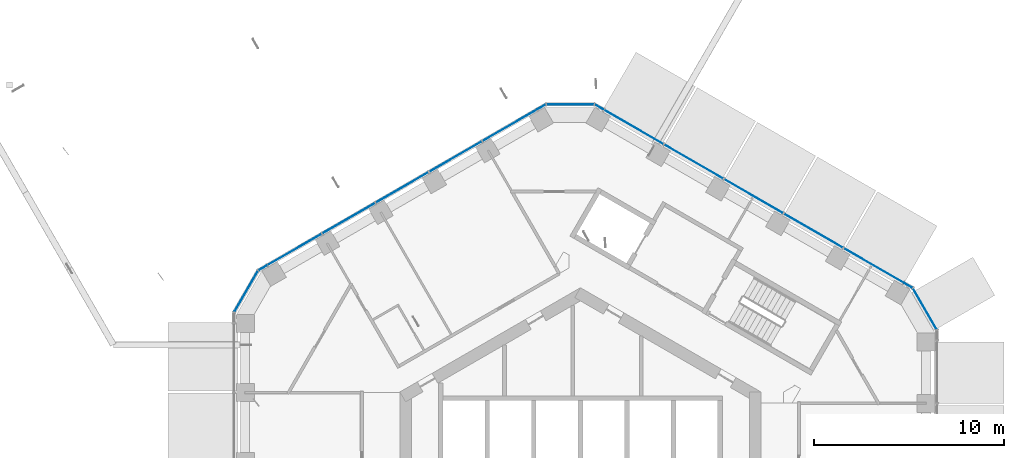
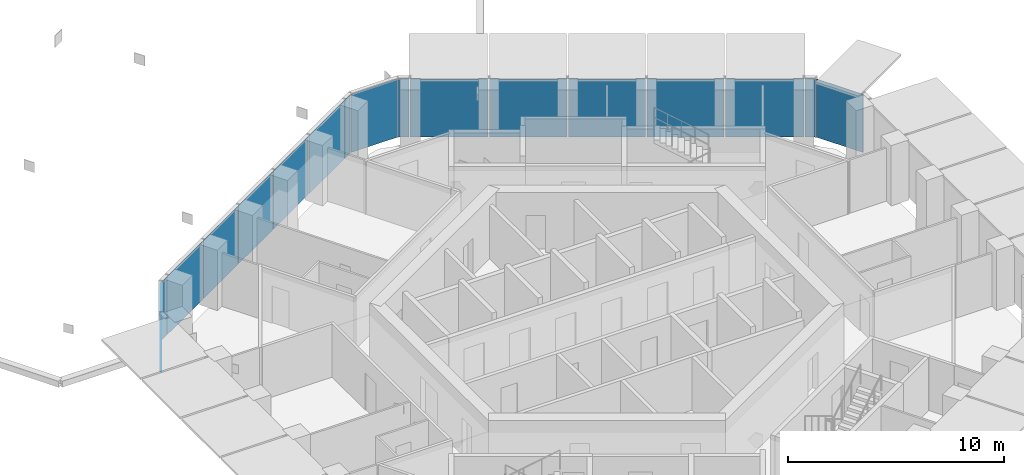
# One storey, part 11 of 21: 17 plates, 5 elements without a shape of their own.
"""IFC4 building model written with IfcOpenShell, lengths in metres."""

from ifc_helpers import new_model, si_unit, direction, frame, origin, origin_2d, place, context, subcontext, project, spatial, rectangle, extrude, material, layer, layer_set, type_object, element, aggregate, save


model = new_model("IFC4")

# Units and contexts
model_context = context("Model", 3, precision=1e-05, world=origin(), true_north=direction((0.0, 1.0)))
body_context = subcontext(model_context, "Body", "Model", "MODEL_VIEW")
ifc_project = project(units=[si_unit("LENGTHUNIT", "METRE"), si_unit("AREAUNIT", "SQUARE_METRE"), si_unit("VOLUMEUNIT", "CUBIC_METRE"), si_unit("PLANEANGLEUNIT", "RADIAN"), si_unit("MASSUNIT", "GRAM", prefix="KILO")], contexts=[model_context])

# Site, building, storey
site_placement = place(None, origin())
site = spatial("IfcSite", under=ifc_project, at=site_placement, CompositionType="ELEMENT")
building_placement = place(site_placement, origin())
building = spatial("IfcBuilding", under=site, at=building_placement, Name="Ayvan Gate Tower", CompositionType="ELEMENT")
storey_placement = place(building_placement, frame((0.0, 0.0, 183.300048828125)))
storey = spatial("IfcBuildingStorey", under=building, at=storey_placement, Name="L49", CompositionType="ELEMENT", Elevation=183.300048828125)

# Curtain wall, plates
ifc_material_1 = material(Name="Bronze anodised aluminium", Category="aluminium")
ifc_layer_1 = layer(ifc_material_1, 0.199951171875)
ifc_layer_set_1 = layer_set([ifc_layer_1], Name="Bronze anodised aluminium")
curtain_wall_type_1 = type_object("IfcCurtainWallType", Name="Stick curtain wall CW-2", PredefinedType="NOTDEFINED", material=ifc_layer_set_1)
curtain_wall_1_placement = place(storey_placement, origin())
curtain_wall_1 = element("IfcCurtainWall", 1, at=curtain_wall_1_placement, inside=storey, type_object=curtain_wall_type_1, Name="Stick curtain wall CW-2 L49", PredefinedType="NOTDEFINED")
ifc_material_2 = material(Name="Clear low-iron laminated glass", Category="glass")
ifc_layer_2 = layer(ifc_material_2, 0.028076171875)
ifc_layer_set_2 = layer_set([ifc_layer_2], Name="Clear low-iron laminated glass")
plate_type_1 = type_object("IfcPlateType", Name="Stick curtain wall CW-2 glass panel", PredefinedType="CURTAIN_PANEL", material=ifc_layer_set_2)
plate_1_placement = place(storey_placement, frame((-3.709716796875, 19.522216796875, 0.0), z_axis=(0.0, 0.0, 1.0), x_axis=(-0.866025403784, -0.5, 0.0)))
plate_1 = element("IfcPlate", 2, at=plate_1_placement, type_object=plate_type_1, Name="CW-2 glass panel 1", PredefinedType="CURTAIN_PANEL", context=body_context, shape_type="SweptSolid", body=[
    extrude(rectangle(XDim=3.287109375, YDim=0.028076171875, at=origin_2d()), origin(), (0.0, 0.0, 1.0), 3.280029296875),
])
plate_2_placement = place(storey_placement, frame((-6.5693359375, 17.87109375, 0.0), z_axis=(0.0, 0.0, 1.0), x_axis=(-0.866025403784, -0.5, 0.0)))
plate_2 = element("IfcPlate", 3, at=plate_2_placement, type_object=plate_type_1, Name="CW-2 glass panel 2", PredefinedType="CURTAIN_PANEL", context=body_context, shape_type="SweptSolid", body=[
    extrude(rectangle(XDim=3.177001953125, YDim=0.028076171875, at=origin_2d()), origin(), (0.0, 0.0, 1.0), 3.280029296875),
])
plate_3_placement = place(storey_placement, frame((-9.380859375, 16.247802734375, 0.0), z_axis=(0.0, 0.0, 1.0), x_axis=(-0.866025403784, -0.5, 0.0)))
plate_3 = element("IfcPlate", 4, at=plate_3_placement, type_object=plate_type_1, Name="CW-2 glass panel 3", PredefinedType="CURTAIN_PANEL", context=body_context, shape_type="SweptSolid", body=[
    extrude(rectangle(XDim=3.176025390625, YDim=0.028076171875, at=origin_2d()), origin(), (0.0, 0.0, 1.0), 3.280029296875),
])
plate_4_placement = place(storey_placement, frame((-12.1923828125, 14.624755859375, 0.0), z_axis=(0.0, 0.0, 1.0), x_axis=(-0.866025403784, -0.5, 0.0)))
plate_4 = element("IfcPlate", 5, at=plate_4_placement, type_object=plate_type_1, Name="CW-2 glass panel 4", PredefinedType="CURTAIN_PANEL", context=body_context, shape_type="SweptSolid", body=[
    extrude(rectangle(XDim=3.177001953125, YDim=0.028076171875, at=origin_2d()), origin(), (0.0, 0.0, 1.0), 3.280029296875),
])
plate_5_placement = place(storey_placement, frame((-15.052001953125, 12.9736328125, 0.0), z_axis=(0.0, 0.0, 1.0), x_axis=(-0.866025403784, -0.5, 0.0)))
plate_5 = element("IfcPlate", 6, at=plate_5_placement, type_object=plate_type_1, Name="CW-2 glass panel 5", PredefinedType="CURTAIN_PANEL", context=body_context, shape_type="SweptSolid", body=[
    extrude(rectangle(XDim=3.286865234375, YDim=0.028076171875, at=origin_2d()), origin(), (0.0, 0.0, 1.0), 3.280029296875),
])
aggregate(curtain_wall_1, [plate_1, plate_2, plate_3, plate_4, plate_5])

curtain_wall_2_placement = place(storey_placement, origin())
curtain_wall_2 = element("IfcCurtainWall", 7, at=curtain_wall_2_placement, inside=storey, type_object=curtain_wall_type_1, Name="Stick curtain wall CW-2 L49", PredefinedType="NOTDEFINED")
plate_6_placement = place(storey_placement, frame((15.439208984375, 12.13330078125, 0.0), z_axis=(0.0, 0.0, 1.0), x_axis=(-0.866025403784, 0.5, 0.0)))
plate_6 = element("IfcPlate", 8, at=plate_6_placement, type_object=plate_type_1, Name="CW-2 glass panel 1", PredefinedType="CURTAIN_PANEL", context=body_context, shape_type="SweptSolid", body=[
    extrude(rectangle(XDim=3.6259765625, YDim=0.028076171875, at=origin_2d()), origin(), (0.0, 0.0, 1.0), 3.280029296875),
])
plate_7_placement = place(storey_placement, frame((12.263916015625, 13.966552734375, 0.0), z_axis=(0.0, 0.0, 1.0), x_axis=(-0.866025403784, 0.5, 0.0)))
plate_7 = element("IfcPlate", 9, at=plate_7_placement, type_object=plate_type_1, Name="CW-2 glass panel 2", PredefinedType="CURTAIN_PANEL", context=body_context, shape_type="SweptSolid", body=[
    extrude(rectangle(XDim=3.56689453125, YDim=0.028076171875, at=origin_2d()), origin(), (0.0, 0.0, 1.0), 3.280029296875),
])
plate_8_placement = place(storey_placement, frame((9.11376953125, 15.785400390625, 0.0), z_axis=(0.0, 0.0, 1.0), x_axis=(-0.866025403784, 0.5, 0.0)))
plate_8 = element("IfcPlate", 10, at=plate_8_placement, type_object=plate_type_1, Name="CW-2 glass panel 3", PredefinedType="CURTAIN_PANEL", context=body_context, shape_type="SweptSolid", body=[
    extrude(rectangle(XDim=3.568115234375, YDim=0.028076171875, at=origin_2d()), origin(), (0.0, 0.0, 1.0), 3.280029296875),
])
plate_9_placement = place(storey_placement, frame((5.963623046875, 17.604248046875, 0.0), z_axis=(0.0, 0.0, 1.0), x_axis=(-0.866025403784, 0.5, 0.0)))
plate_9 = element("IfcPlate", 11, at=plate_9_placement, type_object=plate_type_1, Name="CW-2 glass panel 4", PredefinedType="CURTAIN_PANEL", context=body_context, shape_type="SweptSolid", body=[
    extrude(rectangle(XDim=3.56689453125, YDim=0.028076171875, at=origin_2d()), origin(), (0.0, 0.0, 1.0), 3.280029296875),
])
plate_10_placement = place(storey_placement, frame((2.788330078125, 19.4375, 0.0), z_axis=(0.0, 0.0, 1.0), x_axis=(-0.866025403784, 0.5, 0.0)))
plate_10 = element("IfcPlate", 12, at=plate_10_placement, type_object=plate_type_1, Name="CW-2 glass panel 5", PredefinedType="CURTAIN_PANEL", context=body_context, shape_type="SweptSolid", body=[
    extrude(rectangle(XDim=3.6259765625, YDim=0.028076171875, at=origin_2d()), origin(), (0.0, 0.0, 1.0), 3.280029296875),
])
aggregate(curtain_wall_2, [plate_6, plate_7, plate_8, plate_9, plate_10])

ifc_layer_3 = layer(ifc_material_1, 0.199951171875)
ifc_layer_set_3 = layer_set([ifc_layer_3], Name="Bronze anodised aluminium")
curtain_wall_type_2 = type_object("IfcCurtainWallType", Name="Stick curtain wall CW-6", PredefinedType="NOTDEFINED", material=ifc_layer_set_3)
curtain_wall_3_placement = place(storey_placement, origin())
curtain_wall_3 = element("IfcCurtainWall", 13, at=curtain_wall_3_placement, inside=storey, type_object=curtain_wall_type_2, Name="Stick curtain wall CW-6 L49", PredefinedType="NOTDEFINED")
ifc_layer_4 = layer(ifc_material_2, 0.028076171875)
ifc_layer_set_4 = layer_set([ifc_layer_4], Name="Clear low-iron laminated glass")
plate_type_2 = type_object("IfcPlateType", Name="Stick curtain wall CW-6 glass panel", PredefinedType="CURTAIN_PANEL", material=ifc_layer_set_4)
plate_11_placement = place(storey_placement, frame((-16.721923828125, 12.009521484375, 0.0), z_axis=(0.0, 0.0, 1.0), x_axis=(-0.866025403784, -0.5, 0.0)))
plate_11 = element("IfcPlate", 14, at=plate_11_placement, type_object=plate_type_2, Name="CW-6 glass panel 1", PredefinedType="CURTAIN_PANEL", context=body_context, shape_type="SweptSolid", body=[
    extrude(rectangle(XDim=0.5, YDim=0.028076171875, at=origin_2d()), origin(), (0.0, 0.0, 1.0), 3.280029296875),
])
plate_12_placement = place(storey_placement, frame((-17.59375, 10.7744140625, 0.0), z_axis=(0.0, 0.0, 1.0), x_axis=(-0.5, -0.866025403784, 0.0)))
plate_12 = element("IfcPlate", 15, at=plate_12_placement, type_object=plate_type_2, Name="CW-6 glass panel 2", PredefinedType="CURTAIN_PANEL", context=body_context, shape_type="SweptSolid", body=[
    extrude(rectangle(XDim=2.484619140625, YDim=0.028076171875, at=origin_2d()), origin(), (0.0, 0.0, 1.0), 3.280029296875),
])
aggregate(curtain_wall_3, [plate_11, plate_12])

curtain_wall_4_placement = place(storey_placement, origin())
curtain_wall_4 = element("IfcCurtainWall", 16, at=curtain_wall_4_placement, inside=storey, type_object=curtain_wall_type_2, Name="Stick curtain wall CW-6 L49", PredefinedType="NOTDEFINED")
plate_13_placement = place(storey_placement, frame((18.1279296875, 9.849365234375, 0.0), z_axis=(0.0, 0.0, 1.0), x_axis=(-0.5, 0.866025403784, 0.0)))
plate_13 = element("IfcPlate", 17, at=plate_13_placement, type_object=plate_type_2, Name="CW-6 glass panel 2", PredefinedType="CURTAIN_PANEL", context=body_context, shape_type="SweptSolid", body=[
    extrude(rectangle(XDim=2.484619140625, YDim=0.028076171875, at=origin_2d()), origin(), (0.0, 0.0, 1.0), 3.280029296875),
])
plate_14_placement = place(storey_placement, frame((17.256103515625, 11.08447265625, 0.0), z_axis=(0.0, 0.0, 1.0), x_axis=(-0.866025403784, 0.5, 0.0)))
plate_14 = element("IfcPlate", 18, at=plate_14_placement, type_object=plate_type_2, Name="CW-6 glass panel 3", PredefinedType="CURTAIN_PANEL", context=body_context, shape_type="SweptSolid", body=[
    extrude(rectangle(XDim=0.5, YDim=0.028076171875, at=origin_2d()), origin(), (0.0, 0.0, 1.0), 3.280029296875),
])
aggregate(curtain_wall_4, [plate_13, plate_14])

curtain_wall_5_placement = place(storey_placement, origin())
curtain_wall_5 = element("IfcCurtainWall", 19, at=curtain_wall_5_placement, inside=storey, type_object=curtain_wall_type_2, Name="Stick curtain wall CW-6 L49", PredefinedType="NOTDEFINED")
plate_15_placement = place(storey_placement, frame((0.97119140625, 20.486328125, 0.0), z_axis=(0.0, 0.0, 1.0), x_axis=(-0.866025403784, 0.5, 0.0)))
plate_15 = element("IfcPlate", 20, at=plate_15_placement, type_object=plate_type_2, Name="CW-6 glass panel 1", PredefinedType="CURTAIN_PANEL", context=body_context, shape_type="SweptSolid", body=[
    extrude(rectangle(XDim=0.5, YDim=0.028076171875, at=origin_2d()), origin(), (0.0, 0.0, 1.0), 3.280029296875),
])
plate_16_placement = place(storey_placement, frame((-0.5341796875, 20.6240234375, 0.0), z_axis=(0.0, 0.0, 1.0), x_axis=(-1.0, 0.0, 0.0)))
plate_16 = element("IfcPlate", 21, at=plate_16_placement, type_object=plate_type_2, Name="CW-6 glass panel 2", PredefinedType="CURTAIN_PANEL", context=body_context, shape_type="SweptSolid", body=[
    extrude(rectangle(XDim=2.484619140625, YDim=0.028076171875, at=origin_2d()), origin(), (0.0, 0.0, 1.0), 3.280029296875),
])
plate_17_placement = place(storey_placement, frame((-2.03955078125, 20.486328125, 0.0), z_axis=(0.0, 0.0, 1.0), x_axis=(-0.866025403784, -0.5, 0.0)))
plate_17 = element("IfcPlate", 22, at=plate_17_placement, type_object=plate_type_2, Name="CW-6 glass panel 3", PredefinedType="CURTAIN_PANEL", context=body_context, shape_type="SweptSolid", body=[
    extrude(rectangle(XDim=0.5, YDim=0.028076171875, at=origin_2d()), origin(), (0.0, 0.0, 1.0), 3.280029296875),
])
aggregate(curtain_wall_5, [plate_15, plate_16, plate_17])

save(model, "model.ifc")
